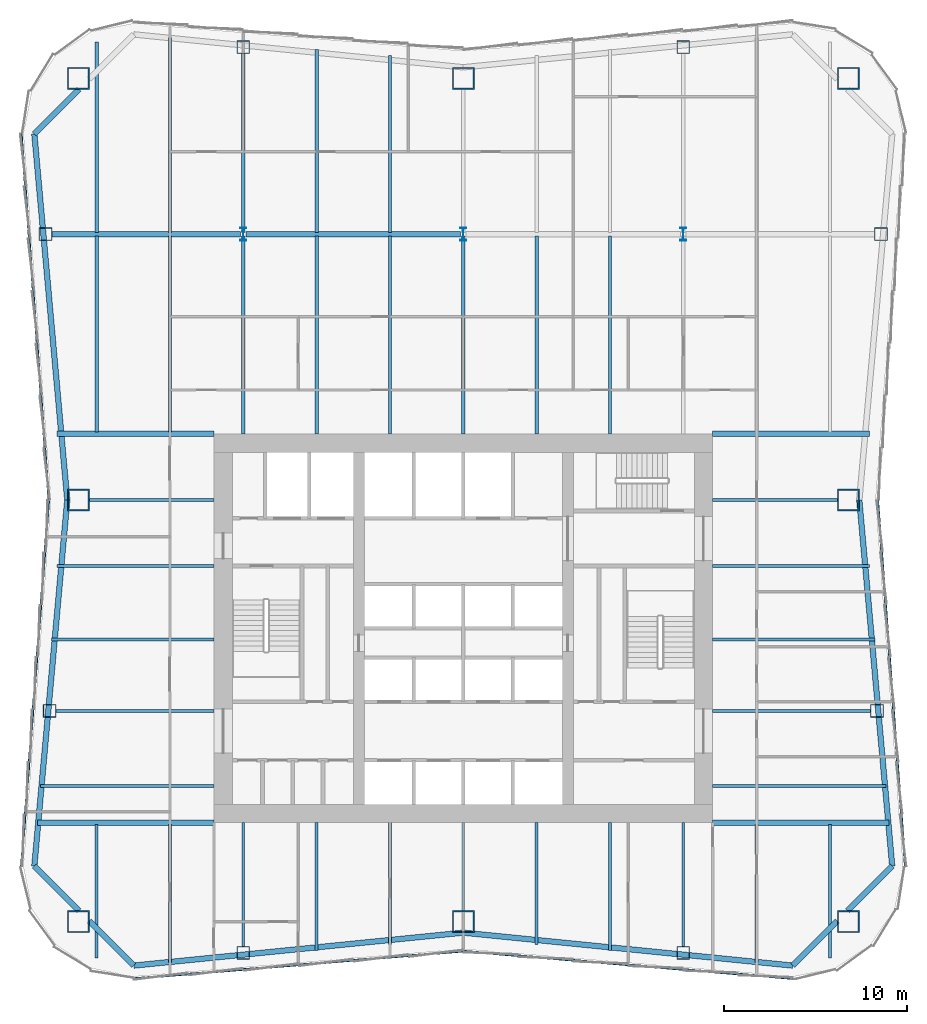
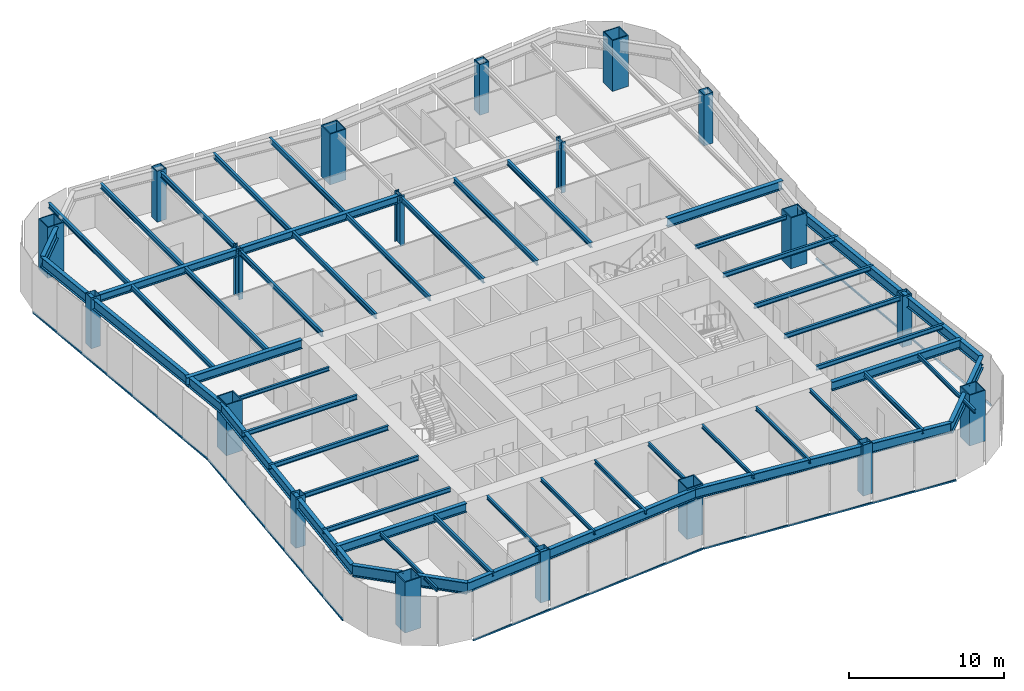
# One storey, part 1 of 8: 50 beams, 19 columns, 5 members, 3 elements without a shape of their own.
"""IFC4 building model written with IfcOpenShell, lengths in metres."""

from ifc_helpers import new_model, si_unit, direction, frame, origin, origin_2d, place, context, subcontext, project, spatial, rectangle, hollow_rectangle, i_section, extrude, material, material_profile, profile_set, type_object, element, aggregate, save


model = new_model("IFC4")

# Units and contexts
model_context = context("Model", 3, precision=1e-05, world=origin(), true_north=direction((0.0, 1.0)))
body_context = subcontext(model_context, "Body", "Model", "MODEL_VIEW")
ifc_project = project(units=[si_unit("LENGTHUNIT", "METRE"), si_unit("AREAUNIT", "SQUARE_METRE"), si_unit("VOLUMEUNIT", "CUBIC_METRE"), si_unit("PLANEANGLEUNIT", "RADIAN"), si_unit("MASSUNIT", "GRAM", prefix="KILO")], contexts=[model_context])

# Site, building, storey
site_placement = place(None, origin())
site = spatial("IfcSite", under=ifc_project, at=site_placement, CompositionType="ELEMENT")
building_placement = place(site_placement, origin())
building = spatial("IfcBuilding", under=site, at=building_placement, Name="Verdant Reach Tower", CompositionType="ELEMENT")
storey_placement = place(building_placement, frame((0.0, 0.0, 146.0)))
storey = spatial("IfcBuildingStorey", under=building, at=storey_placement, Name="L33", CompositionType="ELEMENT", Elevation=146.0)

# Columns
ifc_material_1 = material(Name="Steel S460", Category="steel")
ifc_material_profile_1 = material_profile(ifc_material_1, i_section(OverallWidth=0.30810546875, OverallDepth=0.716064453125, WebThickness=0.02099609375, FlangeThickness=0.0400390625, FilletRadius=0.027099609375, at=origin_2d()), Name="HEM 700")
ifc_profile_set_1 = profile_set([ifc_material_profile_1], Name="Steel S460")
column_type_1 = type_object("IfcColumnType", Name="ST-COL-HEM700", PredefinedType="COLUMN", material=ifc_profile_set_1)
for number, where, z_axis, x_axis, name in (
    (1, (-12.0, 49.5, 0.0), (0.0, 0.0, 1.0), (1.0, 0.0, 0.0), "Interior column 1, L33"),
    (2, (0.0, 49.5, 0.0), (0.0, 0.0, 1.0), (1.0, 0.0, 0.0), "Interior column 2, L33"),
    (3, (12.0, 49.5, 0.0), (0.0, 0.0, 1.0), (1.0, 0.0, 0.0), "Interior column 3, L33"),
):
    element("IfcColumn", number, at=place(storey_placement, frame(where, z_axis=z_axis, x_axis=x_axis)), inside=storey, type_object=column_type_1, Name=name, PredefinedType="COLUMN", context=body_context, shape_type="SweptSolid", body=[
        extrude(i_section(OverallWidth=0.30810546875, OverallDepth=0.716064453125, WebThickness=0.02099609375, FlangeThickness=0.0400390625, FilletRadius=0.027099609375, at=origin_2d()), origin(), (0.0, 0.0, 1.0), 4.0),
    ])
ifc_material_profile_2 = material_profile(ifc_material_1, hollow_rectangle(XDim=1.199951171875, YDim=1.199951171875, WallThickness=0.070068359375, at=origin_2d()), Name="WB 1200x1200x70")
ifc_profile_set_2 = profile_set([ifc_material_profile_2], Name="Steel S460")
column_type_2 = type_object("IfcColumnType", Name="ST-COL-WB1200x1200x70", PredefinedType="COLUMN", material=ifc_profile_set_2)
for number, where, z_axis, x_axis, name in (
    (4, (-21.0, 58.0, 0.0), (0.0, 0.0, 1.0), (1.0, 0.0, 0.0), "Mega column north-west, L33"),
    (5, (0.0, 58.0, 0.0), (0.0, 0.0, 1.0), (1.0, 0.0, 0.0), "Mega column north, L33"),
    (6, (21.0, 58.0, 0.0), (0.0, 0.0, 1.0), (1.0, 0.0, 0.0), "Mega column north-east, L33"),
    (7, (21.0, 35.0, 0.0), (0.0, 0.0, 1.0), (1.0, 0.0, 0.0), "Mega column east, L33"),
    (8, (21.0, 12.0, 0.0), (0.0, 0.0, 1.0), (1.0, 0.0, 0.0), "Mega column south-east, L33"),
    (9, (0.0, 12.0, 0.0), (0.0, 0.0, 1.0), (1.0, 0.0, 0.0), "Mega column south, L33"),
    (10, (-21.0, 12.0, 0.0), (0.0, 0.0, 1.0), (1.0, 0.0, 0.0), "Mega column south-west, L33"),
    (11, (-21.0, 35.0, 0.0), (0.0, 0.0, 1.0), (1.0, 0.0, 0.0), "Mega column west, L33"),
):
    element("IfcColumn", number, at=place(storey_placement, frame(where, z_axis=z_axis, x_axis=x_axis)), inside=storey, type_object=column_type_2, Name=name, PredefinedType="COLUMN", context=body_context, shape_type="SweptSolid", body=[
        extrude(hollow_rectangle(XDim=1.199951171875, YDim=1.199951171875, WallThickness=0.070068359375, at=origin_2d()), origin(), (0.0, 0.0, 1.0), 4.0),
    ])
ifc_material_profile_3 = material_profile(ifc_material_1, hollow_rectangle(XDim=0.699951171875, YDim=0.699951171875, WallThickness=0.030029296875, at=origin_2d()), Name="WB 700x700x30")
ifc_profile_set_3 = profile_set([ifc_material_profile_3], Name="Steel S460")
column_type_3 = type_object("IfcColumnType", Name="ST-COL-WB700x700x30", PredefinedType="COLUMN", material=ifc_profile_set_3)
for number, where, z_axis, x_axis, name in (
    (12, (-12.0, 59.699951171875, 0.0), (0.0, 0.0, 1.0), (1.0, 0.0, 0.0), "Perimeter column north 1, L33"),
    (13, (12.0, 59.699951171875, 0.0), (0.0, 0.0, 1.0), (1.0, 0.0, 0.0), "Perimeter column north 2, L33"),
    (14, (-12.0, 10.300048828125, 0.0), (0.0, 0.0, 1.0), (1.0, 0.0, 0.0), "Perimeter column south 1, L33"),
    (15, (12.0, 10.300048828125, 0.0), (0.0, 0.0, 1.0), (1.0, 0.0, 0.0), "Perimeter column south 2, L33"),
    (16, (22.5625, 23.5, 0.0), (0.0, 0.0, 1.0), (1.0, 0.0, 0.0), "Perimeter column east 1, L33"),
    (17, (22.78759765625, 49.5, 0.0), (0.0, 0.0, 1.0), (1.0, 0.0, 0.0), "Perimeter column east 2, L33"),
    (18, (-22.5625, 23.5, 0.0), (0.0, 0.0, 1.0), (1.0, 0.0, 0.0), "Perimeter column west 1, L33"),
    (19, (-22.78759765625, 49.5, 0.0), (0.0, 0.0, 1.0), (1.0, 0.0, 0.0), "Perimeter column west 2, L33"),
):
    element("IfcColumn", number, at=place(storey_placement, frame(where, z_axis=z_axis, x_axis=x_axis)), inside=storey, type_object=column_type_3, Name=name, PredefinedType="COLUMN", context=body_context, shape_type="SweptSolid", body=[
        extrude(hollow_rectangle(XDim=0.699951171875, YDim=0.699951171875, WallThickness=0.030029296875, at=origin_2d()), origin(), (0.0, 0.0, 1.0), 4.0),
    ])

# Curtain wall, member
ifc_material_2 = material(Name="Anodised aluminium", Category="aluminium")
curtain_wall_type = type_object("IfcCurtainWallType", Name="EN-CW SYSTEM Z2", PredefinedType="NOTDEFINED", material=ifc_material_2)
curtain_wall_1_placement = place(storey_placement, origin())
curtain_wall_1 = element("IfcCurtainWall", 20, at=curtain_wall_1_placement, inside=storey, type_object=curtain_wall_type, Name="Curtain wall east, L33", PredefinedType="NOTDEFINED")
ifc_material_profile_4 = material_profile(ifc_material_2, rectangle(XDim=0.10009765625, YDim=0.1240234375, at=origin_2d()), Name="Transom 124x100")
ifc_profile_set_4 = profile_set([ifc_material_profile_4], Name="Anodised aluminium")
member_type = type_object("IfcMemberType", Name="EN-TRANSOM Z2", PredefinedType="USERDEFINED", material=ifc_profile_set_4)
member_1_placement = place(storey_placement, frame((24.103515625, 15.025390625, -0.2880859375), z_axis=(-0.07476111665, 0.997201471839, 0.0), x_axis=(-0.997201471839, -0.07476111665, 0.0)))
member_1 = element("IfcMember", 21, at=member_1_placement, type_object=member_type, Name="Transom east face part 1 1.1, L33", ObjectType="TRANSOM", PredefinedType="USERDEFINED", context=body_context, shape_type="SweptSolid", body=[
    extrude(rectangle(XDim=0.10009765625, YDim=0.1240234375, at=origin_2d()), origin(), (0.0, 0.0, 1.0), 19.99853515625),
])
aggregate(curtain_wall_1, [member_1])

# Curtain wall, members
curtain_wall_2_placement = place(storey_placement, origin())
curtain_wall_2 = element("IfcCurtainWall", 22, at=curtain_wall_2_placement, inside=storey, type_object=curtain_wall_type, Name="Curtain wall west, L33", PredefinedType="NOTDEFINED")
member_2_placement = place(storey_placement, frame((-24.103515625, 54.974609375, -0.2880859375), z_axis=(0.07476111665, -0.997201471839, 0.0), x_axis=(0.997201471839, 0.07476111665, 0.0)))
member_2 = element("IfcMember", 23, at=member_2_placement, type_object=member_type, Name="Transom west face part 1 1.1, L33", ObjectType="TRANSOM", PredefinedType="USERDEFINED", context=body_context, shape_type="SweptSolid", body=[
    extrude(rectangle(XDim=0.10009765625, YDim=0.1240234375, at=origin_2d()), origin(), (0.0, 0.0, 1.0), 19.99853515625),
])
member_3_placement = place(storey_placement, frame((-22.6083984375, 34.968017578125, -0.2880859375), z_axis=(-0.07476111665, -0.997201471839, 0.0), x_axis=(0.997201471839, -0.07476111665, 0.0)))
member_3 = element("IfcMember", 24, at=member_3_placement, type_object=member_type, Name="Transom west face part 2 1.1, L33", ObjectType="TRANSOM", PredefinedType="USERDEFINED", context=body_context, shape_type="SweptSolid", body=[
    extrude(rectangle(XDim=0.10009765625, YDim=0.1240234375, at=origin_2d()), origin(), (0.0, 0.0, 1.0), 19.99853515625),
])
aggregate(curtain_wall_2, [member_2, member_3])

curtain_wall_3_placement = place(storey_placement, origin())
curtain_wall_3 = element("IfcCurtainWall", 25, at=curtain_wall_3_placement, inside=storey, type_object=curtain_wall_type, Name="Curtain wall south, L33", PredefinedType="NOTDEFINED")
member_4_placement = place(storey_placement, frame((-17.97412109375, 8.896728515625, -0.2880859375), z_axis=(0.996548282776, 0.083015179915, 0.0), x_axis=(-0.083015179915, 0.996548282776, 0.0)))
member_4 = element("IfcMember", 26, at=member_4_placement, type_object=member_type, Name="Transom south face part 1 1.1, L33", ObjectType="TRANSOM", PredefinedType="USERDEFINED", context=body_context, shape_type="SweptSolid", body=[
    extrude(rectangle(XDim=0.10009765625, YDim=0.1240234375, at=origin_2d()), origin(), (0.0, 0.0, 1.0), 18.00439453125),
])
member_5_placement = place(storey_placement, frame((0.031982421875, 10.391357421875, -0.2880859375), z_axis=(0.996548282776, -0.083015179915, 0.0), x_axis=(0.083015179915, 0.996548282776, 0.0)))
member_5 = element("IfcMember", 27, at=member_5_placement, type_object=member_type, Name="Transom south face part 2 1.1, L33", ObjectType="TRANSOM", PredefinedType="USERDEFINED", context=body_context, shape_type="SweptSolid", body=[
    extrude(rectangle(XDim=0.10009765625, YDim=0.1240234375, at=origin_2d()), origin(), (0.0, 0.0, 1.0), 18.00439453125),
])
aggregate(curtain_wall_3, [member_4, member_5])

# Beams
ifc_material_3 = material(Name="Steel S355", Category="steel")
ifc_material_profile_5 = material_profile(ifc_material_3, i_section(OverallWidth=0.300048828125, OverallDepth=0.60009765625, WebThickness=0.015380859375, FlangeThickness=0.030029296875, FilletRadius=0.027099609375, at=origin_2d()), Name="HEB 600")
ifc_profile_set_5 = profile_set([ifc_material_profile_5], Name="Steel S355")
beam_type_1 = type_object("IfcBeamType", Name="ST-BEAM-HEB600", PredefinedType="BEAM", material=ifc_profile_set_5)
beam_1_placement = place(storey_placement, frame((-22.4375, 49.5, 3.570068359375), z_axis=(1.0, 0.0, 0.0), x_axis=(0.0, 1.0, 0.0)))
element("IfcBeam", 28, at=beam_1_placement, inside=storey, type_object=beam_type_1, Name="Row girder, L33", PredefinedType="BEAM", context=body_context, shape_type="SweptSolid", body=[
    extrude(i_section(OverallWidth=0.300048828125, OverallDepth=0.60009765625, WebThickness=0.015380859375, FlangeThickness=0.030029296875, FilletRadius=0.027099609375, at=origin_2d()), origin(), (0.0, 0.0, 1.0), 10.283447265625),
])
beam_2_placement = place(storey_placement, frame((-11.845947265625, 49.5, 3.570068359375), z_axis=(1.0, 0.0, 0.0), x_axis=(0.0, 1.0, 0.0)))
element("IfcBeam", 29, at=beam_2_placement, inside=storey, type_object=beam_type_1, Name="Row girder, L33", PredefinedType="BEAM", context=body_context, shape_type="SweptSolid", body=[
    extrude(i_section(OverallWidth=0.300048828125, OverallDepth=0.60009765625, WebThickness=0.015380859375, FlangeThickness=0.030029296875, FilletRadius=0.027099609375, at=origin_2d()), origin(), (0.0, 0.0, 1.0), 11.69189453125),
])
ifc_material_profile_6 = material_profile(ifc_material_3, i_section(OverallWidth=0.300048828125, OverallDepth=0.699951171875, WebThickness=0.01708984375, FlangeThickness=0.031982421875, FilletRadius=0.027099609375, at=origin_2d()), Name="HEB 700")
ifc_profile_set_6 = profile_set([ifc_material_profile_6], Name="Steel S355")
beam_type_2 = type_object("IfcBeamType", Name="ST-BEAM-HEB700", PredefinedType="BEAM", material=ifc_profile_set_6)
for number, where, z_axis, x_axis, name in (
    (30, (13.60009765625, 38.60009765625, 3.52001953125), (1.0, 0.0, 0.0), (0.0, 1.0, 0.0), "Trimmer beam, L33"),
    (31, (-13.60009765625, 38.60009765625, 3.52001953125), (-1.0, 0.0, 0.0), (0.0, -1.0, 0.0), "Trimmer beam, L33"),
):
    element("IfcBeam", number, at=place(storey_placement, frame(where, z_axis=z_axis, x_axis=x_axis)), inside=storey, type_object=beam_type_2, Name=name, PredefinedType="BEAM", context=body_context, shape_type="SweptSolid", body=[
        extrude(i_section(OverallWidth=0.300048828125, OverallDepth=0.699951171875, WebThickness=0.01708984375, FlangeThickness=0.031982421875, FilletRadius=0.027099609375, at=origin_2d()), origin(), (0.0, 0.0, 1.0), 8.568115234375),
    ])
for number, where, z_axis, x_axis, name in (
    (32, (13.60009765625, 17.39990234375, 3.52001953125), (1.0, 0.0, 0.0), (0.0, 1.0, 0.0), "Trimmer beam, L33"),
    (33, (-13.60009765625, 17.39990234375, 3.52001953125), (-1.0, 0.0, 0.0), (0.0, -1.0, 0.0), "Trimmer beam, L33"),
):
    element("IfcBeam", number, at=place(storey_placement, frame(where, z_axis=z_axis, x_axis=x_axis)), inside=storey, type_object=beam_type_2, Name=name, PredefinedType="BEAM", context=body_context, shape_type="SweptSolid", body=[
        extrude(i_section(OverallWidth=0.300048828125, OverallDepth=0.699951171875, WebThickness=0.01708984375, FlangeThickness=0.031982421875, FilletRadius=0.027099609375, at=origin_2d()), origin(), (0.0, 0.0, 1.0), 9.6181640625),
    ])
ifc_material_profile_7 = material_profile(ifc_material_3, i_section(OverallWidth=0.14990234375, OverallDepth=0.300048828125, WebThickness=0.007080078125, FlangeThickness=0.0107421875, FilletRadius=0.014892578125, at=origin_2d()), Name="IPE 300")
ifc_profile_set_7 = profile_set([ifc_material_profile_7], Name="Steel S355")
beam_type_3 = type_object("IfcBeamType", Name="ST-JOIST-IPE300", PredefinedType="JOIST", material=ifc_profile_set_7)
beam_3_placement = place(storey_placement, frame((-20.0, 17.300048828125, 3.719970703125), z_axis=(0.0, -1.0, 0.0), x_axis=(1.0, 0.0, 0.0)))
element("IfcBeam", 34, at=beam_3_placement, inside=storey, type_object=beam_type_3, Name="Floor joist, L33", PredefinedType="JOIST", context=body_context, shape_type="SweptSolid", body=[
    extrude(i_section(OverallWidth=0.14990234375, OverallDepth=0.300048828125, WebThickness=0.007080078125, FlangeThickness=0.0107421875, FilletRadius=0.014892578125, at=origin_2d()), origin(), (0.0, 0.0, 1.0), 7.29052734375),
])
beam_4_placement = place(storey_placement, frame((-12.0, 17.39990234375, 3.719970703125), z_axis=(0.0, -1.0, 0.0), x_axis=(1.0, 0.0, 0.0)))
element("IfcBeam", 35, at=beam_4_placement, inside=storey, type_object=beam_type_3, Name="Floor joist, L33", PredefinedType="JOIST", context=body_context, shape_type="SweptSolid", body=[
    extrude(i_section(OverallWidth=0.14990234375, OverallDepth=0.300048828125, WebThickness=0.007080078125, FlangeThickness=0.0107421875, FilletRadius=0.014892578125, at=origin_2d()), origin(), (0.0, 0.0, 1.0), 6.75),
])
beam_5_placement = place(storey_placement, frame((-8.0, 17.39990234375, 3.719970703125), z_axis=(0.0, -1.0, 0.0), x_axis=(1.0, 0.0, 0.0)))
element("IfcBeam", 36, at=beam_5_placement, inside=storey, type_object=beam_type_3, Name="Floor joist, L33", PredefinedType="JOIST", context=body_context, shape_type="SweptSolid", body=[
    extrude(i_section(OverallWidth=0.14990234375, OverallDepth=0.300048828125, WebThickness=0.007080078125, FlangeThickness=0.0107421875, FilletRadius=0.014892578125, at=origin_2d()), origin(), (0.0, 0.0, 1.0), 6.964599609375),
])
beam_6_placement = place(storey_placement, frame((-4.0, 17.39990234375, 3.719970703125), z_axis=(0.0, -1.0, 0.0), x_axis=(1.0, 0.0, 0.0)))
element("IfcBeam", 37, at=beam_6_placement, inside=storey, type_object=beam_type_3, Name="Floor joist, L33", PredefinedType="JOIST", context=body_context, shape_type="SweptSolid", body=[
    extrude(i_section(OverallWidth=0.14990234375, OverallDepth=0.300048828125, WebThickness=0.007080078125, FlangeThickness=0.0107421875, FilletRadius=0.014892578125, at=origin_2d()), origin(), (0.0, 0.0, 1.0), 6.631103515625),
])
beam_7_placement = place(storey_placement, frame((0.0, 17.39990234375, 3.719970703125), z_axis=(0.0, -1.0, 0.0), x_axis=(1.0, 0.0, 0.0)))
element("IfcBeam", 38, at=beam_7_placement, inside=storey, type_object=beam_type_3, Name="Floor joist, L33", PredefinedType="JOIST", context=body_context, shape_type="SweptSolid", body=[
    extrude(i_section(OverallWidth=0.14990234375, OverallDepth=0.300048828125, WebThickness=0.007080078125, FlangeThickness=0.0107421875, FilletRadius=0.014892578125, at=origin_2d()), origin(), (0.0, 0.0, 1.0), 4.7998046875),
])
beam_8_placement = place(storey_placement, frame((4.0, 17.39990234375, 3.719970703125), z_axis=(0.0, -1.0, 0.0), x_axis=(1.0, 0.0, 0.0)))
element("IfcBeam", 39, at=beam_8_placement, inside=storey, type_object=beam_type_3, Name="Floor joist, L33", PredefinedType="JOIST", context=body_context, shape_type="SweptSolid", body=[
    extrude(i_section(OverallWidth=0.14990234375, OverallDepth=0.300048828125, WebThickness=0.007080078125, FlangeThickness=0.0107421875, FilletRadius=0.014892578125, at=origin_2d()), origin(), (0.0, 0.0, 1.0), 6.631103515625),
])
beam_9_placement = place(storey_placement, frame((8.0, 17.39990234375, 3.719970703125), z_axis=(0.0, -1.0, 0.0), x_axis=(1.0, 0.0, 0.0)))
element("IfcBeam", 40, at=beam_9_placement, inside=storey, type_object=beam_type_3, Name="Floor joist, L33", PredefinedType="JOIST", context=body_context, shape_type="SweptSolid", body=[
    extrude(i_section(OverallWidth=0.14990234375, OverallDepth=0.300048828125, WebThickness=0.007080078125, FlangeThickness=0.0107421875, FilletRadius=0.014892578125, at=origin_2d()), origin(), (0.0, 0.0, 1.0), 6.964599609375),
])
beam_10_placement = place(storey_placement, frame((12.0, 17.39990234375, 3.719970703125), z_axis=(0.0, -1.0, 0.0), x_axis=(1.0, 0.0, 0.0)))
element("IfcBeam", 41, at=beam_10_placement, inside=storey, type_object=beam_type_3, Name="Floor joist, L33", PredefinedType="JOIST", context=body_context, shape_type="SweptSolid", body=[
    extrude(i_section(OverallWidth=0.14990234375, OverallDepth=0.300048828125, WebThickness=0.007080078125, FlangeThickness=0.0107421875, FilletRadius=0.014892578125, at=origin_2d()), origin(), (0.0, 0.0, 1.0), 6.75),
])
beam_11_placement = place(storey_placement, frame((20.0, 17.300048828125, 3.719970703125), z_axis=(0.0, -1.0, 0.0), x_axis=(1.0, 0.0, 0.0)))
element("IfcBeam", 42, at=beam_11_placement, inside=storey, type_object=beam_type_3, Name="Floor joist, L33", PredefinedType="JOIST", context=body_context, shape_type="SweptSolid", body=[
    extrude(i_section(OverallWidth=0.14990234375, OverallDepth=0.300048828125, WebThickness=0.007080078125, FlangeThickness=0.0107421875, FilletRadius=0.014892578125, at=origin_2d()), origin(), (0.0, 0.0, 1.0), 7.29052734375),
])
for number, where, z_axis, x_axis, name in (
    (43, (13.60009765625, 35.0, 3.719970703125), (1.0, 0.0, 0.0), (0.0, 1.0, 0.0), "Floor joist, L33"),
    (44, (-13.60009765625, 35.0, 3.719970703125), (-1.0, 0.0, 0.0), (0.0, -1.0, 0.0), "Floor joist, L33"),
):
    element("IfcBeam", number, at=place(storey_placement, frame(where, z_axis=z_axis, x_axis=x_axis)), inside=storey, type_object=beam_type_3, Name=name, PredefinedType="JOIST", context=body_context, shape_type="SweptSolid", body=[
        extrude(i_section(OverallWidth=0.14990234375, OverallDepth=0.300048828125, WebThickness=0.007080078125, FlangeThickness=0.0107421875, FilletRadius=0.014892578125, at=origin_2d()), origin(), (0.0, 0.0, 1.0), 6.7998046875),
    ])
ifc_material_profile_8 = material_profile(ifc_material_3, i_section(OverallWidth=0.169921875, OverallDepth=0.360107421875, WebThickness=0.008056640625, FlangeThickness=0.0126953125, FilletRadius=0.01806640625, at=origin_2d()), Name="IPE 360")
ifc_profile_set_8 = profile_set([ifc_material_profile_8], Name="Steel S355")
beam_type_4 = type_object("IfcBeamType", Name="ST-JOIST-IPE360", PredefinedType="JOIST", material=ifc_profile_set_8)
for number, where, z_axis, x_axis, name in (
    (45, (-16.0, 17.300048828125, 3.68994140625), (0.0, -1.0, 0.0), (1.0, 0.0, 0.0), "Floor joist, L33"),
    (46, (16.0, 17.300048828125, 3.68994140625), (0.0, -1.0, 0.0), (1.0, 0.0, 0.0), "Floor joist, L33"),
):
    element("IfcBeam", number, at=place(storey_placement, frame(where, z_axis=z_axis, x_axis=x_axis)), inside=storey, type_object=beam_type_4, Name=name, PredefinedType="JOIST", context=body_context, shape_type="SweptSolid", body=[
        extrude(i_section(OverallWidth=0.169921875, OverallDepth=0.360107421875, WebThickness=0.008056640625, FlangeThickness=0.0126953125, FilletRadius=0.01806640625, at=origin_2d()), origin(), (0.0, 0.0, 1.0), 7.53125),
    ])
for number, where, z_axis, x_axis, name in (
    (47, (13.60009765625, 19.39990234375, 3.68994140625), (1.0, 0.0, 0.0), (0.0, 1.0, 0.0), "Floor joist, L33"),
    (48, (-13.60009765625, 19.39990234375, 3.68994140625), (-1.0, 0.0, 0.0), (0.0, -1.0, 0.0), "Floor joist, L33"),
):
    element("IfcBeam", number, at=place(storey_placement, frame(where, z_axis=z_axis, x_axis=x_axis)), inside=storey, type_object=beam_type_4, Name=name, PredefinedType="JOIST", context=body_context, shape_type="SweptSolid", body=[
        extrude(i_section(OverallWidth=0.169921875, OverallDepth=0.360107421875, WebThickness=0.008056640625, FlangeThickness=0.0126953125, FilletRadius=0.01806640625, at=origin_2d()), origin(), (0.0, 0.0, 1.0), 9.46826171875),
    ])
for number, where, z_axis, x_axis, name in (
    (49, (13.60009765625, 23.5, 3.68994140625), (1.0, 0.0, 0.0), (0.0, 1.0, 0.0), "Floor joist, L33"),
    (50, (-13.60009765625, 23.5, 3.68994140625), (-1.0, 0.0, 0.0), (0.0, -1.0, 0.0), "Floor joist, L33"),
):
    element("IfcBeam", number, at=place(storey_placement, frame(where, z_axis=z_axis, x_axis=x_axis)), inside=storey, type_object=beam_type_4, Name=name, PredefinedType="JOIST", context=body_context, shape_type="SweptSolid", body=[
        extrude(i_section(OverallWidth=0.169921875, OverallDepth=0.360107421875, WebThickness=0.008056640625, FlangeThickness=0.0126953125, FilletRadius=0.01806640625, at=origin_2d()), origin(), (0.0, 0.0, 1.0), 8.6123046875),
    ])
for number, where, z_axis, x_axis, name in (
    (51, (13.60009765625, 27.39990234375, 3.68994140625), (1.0, 0.0, 0.0), (0.0, 1.0, 0.0), "Floor joist, L33"),
    (52, (-13.60009765625, 27.39990234375, 3.68994140625), (-1.0, 0.0, 0.0), (0.0, -1.0, 0.0), "Floor joist, L33"),
):
    element("IfcBeam", number, at=place(storey_placement, frame(where, z_axis=z_axis, x_axis=x_axis)), inside=storey, type_object=beam_type_4, Name=name, PredefinedType="JOIST", context=body_context, shape_type="SweptSolid", body=[
        extrude(i_section(OverallWidth=0.169921875, OverallDepth=0.360107421875, WebThickness=0.008056640625, FlangeThickness=0.0126953125, FilletRadius=0.01806640625, at=origin_2d()), origin(), (0.0, 0.0, 1.0), 8.8681640625),
    ])
for number, where, z_axis, x_axis, name in (
    (53, (13.60009765625, 31.39990234375, 3.68994140625), (1.0, 0.0, 0.0), (0.0, 1.0, 0.0), "Floor joist, L33"),
    (54, (-13.60009765625, 31.39990234375, 3.68994140625), (-1.0, 0.0, 0.0), (0.0, -1.0, 0.0), "Floor joist, L33"),
):
    element("IfcBeam", number, at=place(storey_placement, frame(where, z_axis=z_axis, x_axis=x_axis)), inside=storey, type_object=beam_type_4, Name=name, PredefinedType="JOIST", context=body_context, shape_type="SweptSolid", body=[
        extrude(i_section(OverallWidth=0.169921875, OverallDepth=0.360107421875, WebThickness=0.008056640625, FlangeThickness=0.0126953125, FilletRadius=0.01806640625, at=origin_2d()), origin(), (0.0, 0.0, 1.0), 8.568115234375),
    ])
ifc_material_profile_9 = material_profile(ifc_material_3, i_section(OverallWidth=0.179931640625, OverallDepth=0.39990234375, WebThickness=0.008544921875, FlangeThickness=0.013427734375, FilletRadius=0.02099609375, at=origin_2d()), Name="IPE 400")
ifc_profile_set_9 = profile_set([ifc_material_profile_9], Name="Steel S355")
beam_type_5 = type_object("IfcBeamType", Name="ST-JOIST-IPE400", PredefinedType="JOIST", material=ifc_profile_set_9)
beam_12_placement = place(storey_placement, frame((-20.0, 38.699951171875, 3.669921875), z_axis=(0.0, 1.0, 0.0), x_axis=(-1.0, 0.0, 0.0)))
element("IfcBeam", 55, at=beam_12_placement, inside=storey, type_object=beam_type_5, Name="Floor joist, L33", PredefinedType="JOIST", context=body_context, shape_type="SweptSolid", body=[
    extrude(i_section(OverallWidth=0.179931640625, OverallDepth=0.39990234375, WebThickness=0.008544921875, FlangeThickness=0.013427734375, FilletRadius=0.02099609375, at=origin_2d()), origin(), (0.0, 0.0, 1.0), 10.699951171875),
])
beam_13_placement = place(storey_placement, frame((-20.0, 49.60009765625, 3.669921875), z_axis=(0.0, 1.0, 0.0), x_axis=(-1.0, 0.0, 0.0)))
element("IfcBeam", 56, at=beam_13_placement, inside=storey, type_object=beam_type_5, Name="Floor joist, L33", PredefinedType="JOIST", context=body_context, shape_type="SweptSolid", body=[
    extrude(i_section(OverallWidth=0.179931640625, OverallDepth=0.39990234375, WebThickness=0.008544921875, FlangeThickness=0.013427734375, FilletRadius=0.02099609375, at=origin_2d()), origin(), (0.0, 0.0, 1.0), 10.390380859375),
])
beam_14_placement = place(storey_placement, frame((-16.0, 38.699951171875, 3.669921875), z_axis=(0.0, 1.0, 0.0), x_axis=(-1.0, 0.0, 0.0)))
element("IfcBeam", 57, at=beam_14_placement, inside=storey, type_object=beam_type_5, Name="Floor joist, L33", PredefinedType="JOIST", context=body_context, shape_type="SweptSolid", body=[
    extrude(i_section(OverallWidth=0.179931640625, OverallDepth=0.39990234375, WebThickness=0.008544921875, FlangeThickness=0.013427734375, FilletRadius=0.02099609375, at=origin_2d()), origin(), (0.0, 0.0, 1.0), 10.699951171875),
])
beam_15_placement = place(storey_placement, frame((-16.0, 49.60009765625, 3.669921875), z_axis=(0.0, 1.0, 0.0), x_axis=(-1.0, 0.0, 0.0)))
element("IfcBeam", 58, at=beam_15_placement, inside=storey, type_object=beam_type_5, Name="Floor joist, L33", PredefinedType="JOIST", context=body_context, shape_type="SweptSolid", body=[
    extrude(i_section(OverallWidth=0.179931640625, OverallDepth=0.39990234375, WebThickness=0.008544921875, FlangeThickness=0.013427734375, FilletRadius=0.02099609375, at=origin_2d()), origin(), (0.0, 0.0, 1.0), 10.631103515625),
])
beam_16_placement = place(storey_placement, frame((-12.0, 38.60009765625, 3.669921875), z_axis=(0.0, 1.0, 0.0), x_axis=(-1.0, 0.0, 0.0)))
element("IfcBeam", 59, at=beam_16_placement, inside=storey, type_object=beam_type_5, Name="Floor joist, L33", PredefinedType="JOIST", context=body_context, shape_type="SweptSolid", body=[
    extrude(i_section(OverallWidth=0.179931640625, OverallDepth=0.39990234375, WebThickness=0.008544921875, FlangeThickness=0.013427734375, FilletRadius=0.02099609375, at=origin_2d()), origin(), (0.0, 0.0, 1.0), 10.7998046875),
])
beam_17_placement = place(storey_placement, frame((-12.0, 49.60009765625, 3.669921875), z_axis=(0.0, 1.0, 0.0), x_axis=(-1.0, 0.0, 0.0)))
element("IfcBeam", 60, at=beam_17_placement, inside=storey, type_object=beam_type_5, Name="Floor joist, L33", PredefinedType="JOIST", context=body_context, shape_type="SweptSolid", body=[
    extrude(i_section(OverallWidth=0.179931640625, OverallDepth=0.39990234375, WebThickness=0.008544921875, FlangeThickness=0.013427734375, FilletRadius=0.02099609375, at=origin_2d()), origin(), (0.0, 0.0, 1.0), 9.75),
])
beam_18_placement = place(storey_placement, frame((-8.0, 38.60009765625, 3.669921875), z_axis=(0.0, 1.0, 0.0), x_axis=(-1.0, 0.0, 0.0)))
element("IfcBeam", 61, at=beam_18_placement, inside=storey, type_object=beam_type_5, Name="Floor joist, L33", PredefinedType="JOIST", context=body_context, shape_type="SweptSolid", body=[
    extrude(i_section(OverallWidth=0.179931640625, OverallDepth=0.39990234375, WebThickness=0.008544921875, FlangeThickness=0.013427734375, FilletRadius=0.02099609375, at=origin_2d()), origin(), (0.0, 0.0, 1.0), 10.7998046875),
])
beam_19_placement = place(storey_placement, frame((-8.0, 49.60009765625, 3.669921875), z_axis=(0.0, 1.0, 0.0), x_axis=(-1.0, 0.0, 0.0)))
element("IfcBeam", 62, at=beam_19_placement, inside=storey, type_object=beam_type_5, Name="Floor joist, L33", PredefinedType="JOIST", context=body_context, shape_type="SweptSolid", body=[
    extrude(i_section(OverallWidth=0.179931640625, OverallDepth=0.39990234375, WebThickness=0.008544921875, FlangeThickness=0.013427734375, FilletRadius=0.02099609375, at=origin_2d()), origin(), (0.0, 0.0, 1.0), 9.964599609375),
])
beam_20_placement = place(storey_placement, frame((-4.0, 38.60009765625, 3.669921875), z_axis=(0.0, 1.0, 0.0), x_axis=(-1.0, 0.0, 0.0)))
element("IfcBeam", 63, at=beam_20_placement, inside=storey, type_object=beam_type_5, Name="Floor joist, L33", PredefinedType="JOIST", context=body_context, shape_type="SweptSolid", body=[
    extrude(i_section(OverallWidth=0.179931640625, OverallDepth=0.39990234375, WebThickness=0.008544921875, FlangeThickness=0.013427734375, FilletRadius=0.02099609375, at=origin_2d()), origin(), (0.0, 0.0, 1.0), 10.7998046875),
])
beam_21_placement = place(storey_placement, frame((-4.0, 49.60009765625, 3.669921875), z_axis=(0.0, 1.0, 0.0), x_axis=(-1.0, 0.0, 0.0)))
element("IfcBeam", 64, at=beam_21_placement, inside=storey, type_object=beam_type_5, Name="Floor joist, L33", PredefinedType="JOIST", context=body_context, shape_type="SweptSolid", body=[
    extrude(i_section(OverallWidth=0.179931640625, OverallDepth=0.39990234375, WebThickness=0.008544921875, FlangeThickness=0.013427734375, FilletRadius=0.02099609375, at=origin_2d()), origin(), (0.0, 0.0, 1.0), 9.631103515625),
])
for number, where, z_axis, x_axis, name in (
    (65, (0.0, 38.60009765625, 3.669921875), (0.0, 1.0, 0.0), (-1.0, 0.0, 0.0), "Floor joist, L33"),
    (66, (4.0, 38.60009765625, 3.669921875), (0.0, 1.0, 0.0), (-1.0, 0.0, 0.0), "Floor joist, L33"),
    (67, (8.0, 38.60009765625, 3.669921875), (0.0, 1.0, 0.0), (-1.0, 0.0, 0.0), "Floor joist, L33"),
):
    element("IfcBeam", number, at=place(storey_placement, frame(where, z_axis=z_axis, x_axis=x_axis)), inside=storey, type_object=beam_type_5, Name=name, PredefinedType="JOIST", context=body_context, shape_type="SweptSolid", body=[
        extrude(i_section(OverallWidth=0.179931640625, OverallDepth=0.39990234375, WebThickness=0.008544921875, FlangeThickness=0.013427734375, FilletRadius=0.02099609375, at=origin_2d()), origin(), (0.0, 0.0, 1.0), 10.7998046875),
    ])
ifc_material_profile_10 = material_profile(ifc_material_3, i_section(OverallWidth=0.300048828125, OverallDepth=0.800048828125, WebThickness=0.017578125, FlangeThickness=0.032958984375, FilletRadius=0.030029296875, at=origin_2d()), Name="HEB 800")
ifc_profile_set_10 = profile_set([ifc_material_profile_10], Name="Steel S355")
beam_type_6 = type_object("IfcBeamType", Name="ST-SPANDREL-HEB800", PredefinedType="SPANDREL", material=ifc_profile_set_10)
for number, where, z_axis, x_axis, name in (
    (68, (17.9658203125, 9.60498046875, 3.469970703125), (-0.995046289869, 0.099412680371, 0.0), (-0.099412680371, -0.995046289869, 0.0), "Edge beam, L33"),
    (69, (0.0, 11.39990234375, 3.469970703125), (-0.995046289869, -0.099412680371, 0.0), (0.099412680371, -0.995046289869, 0.0), "Edge beam, L33"),
):
    element("IfcBeam", number, at=place(storey_placement, frame(where, z_axis=z_axis, x_axis=x_axis)), inside=storey, type_object=beam_type_6, Name=name, PredefinedType="SPANDREL", context=body_context, shape_type="SweptSolid", body=[
        extrude(i_section(OverallWidth=0.300048828125, OverallDepth=0.800048828125, WebThickness=0.017578125, FlangeThickness=0.032958984375, FilletRadius=0.030029296875, at=origin_2d()), origin(), (0.0, 0.0, 1.0), 18.05517578125),
    ])
for number, where, z_axis, x_axis, name in (
    (70, (-23.3955078125, 15.036865234375, 3.469970703125), (0.089574749266, 0.995980102358, 0.0), (-0.995980102358, 0.089574749266, 0.0), "Edge beam, L33"),
    (71, (-21.60009765625, 35.0, 3.469970703125), (-0.089574749266, 0.995980102358, 0.0), (-0.995980102358, -0.089574749266, 0.0), "Edge beam, L33"),
    (72, (21.60009765625, 35.0, 3.469970703125), (0.089574749266, -0.995980102358, 0.0), (0.995980102358, 0.089574749266, 0.0), "Edge beam, L33"),
):
    element("IfcBeam", number, at=place(storey_placement, frame(where, z_axis=z_axis, x_axis=x_axis)), inside=storey, type_object=beam_type_6, Name=name, PredefinedType="SPANDREL", context=body_context, shape_type="SweptSolid", body=[
        extrude(i_section(OverallWidth=0.300048828125, OverallDepth=0.800048828125, WebThickness=0.017578125, FlangeThickness=0.032958984375, FilletRadius=0.030029296875, at=origin_2d()), origin(), (0.0, 0.0, 1.0), 20.043701171875),
    ])
ifc_material_profile_11 = material_profile(ifc_material_3, i_section(OverallWidth=0.302001953125, OverallDepth=0.909912109375, WebThickness=0.02099609375, FlangeThickness=0.0400390625, FilletRadius=0.030029296875, at=origin_2d()), Name="HEM 900")
ifc_profile_set_11 = profile_set([ifc_material_profile_11], Name="Steel S355")
beam_type_7 = type_object("IfcBeamType", Name="ST-SPANDREL-HEM900", PredefinedType="SPANDREL", material=ifc_profile_set_11)
beam_22_placement = place(storey_placement, frame((-17.9658203125, 9.60498046875, 3.4150390625), z_axis=(-0.70696494852, 0.70724858541, 0.0), x_axis=(-0.70724858541, -0.70696494852, 0.0)))
element("IfcBeam", 73, at=beam_22_placement, inside=storey, type_object=beam_type_7, Name="Edge beam, L33", PredefinedType="SPANDREL", context=body_context, shape_type="SweptSolid", body=[
    extrude(i_section(OverallWidth=0.302001953125, OverallDepth=0.909912109375, WebThickness=0.02099609375, FlangeThickness=0.0400390625, FilletRadius=0.030029296875, at=origin_2d()), origin(), (0.0, 0.0, 1.0), 3.443115234375),
])
for number, where, z_axis, x_axis, name in (
    (74, (-20.959716796875, 12.60009765625, 3.4150390625), (-0.706965048022, 0.707248485948, 0.0), (-0.707248485948, -0.706965048022, 0.0), "Edge beam, L33"),
    (75, (-23.3955078125, 54.963134765625, 3.4150390625), (0.706965048022, 0.707248485948, 0.0), (-0.707248485948, 0.706965048022, 0.0), "Edge beam, L33"),
    (76, (23.3955078125, 15.036865234375, 3.4150390625), (-0.706965048022, -0.707248485948, 0.0), (0.707248485948, -0.706965048022, 0.0), "Edge beam, L33"),
):
    element("IfcBeam", number, at=place(storey_placement, frame(where, z_axis=z_axis, x_axis=x_axis)), inside=storey, type_object=beam_type_7, Name=name, PredefinedType="SPANDREL", context=body_context, shape_type="SweptSolid", body=[
        extrude(i_section(OverallWidth=0.302001953125, OverallDepth=0.909912109375, WebThickness=0.02099609375, FlangeThickness=0.0400390625, FilletRadius=0.030029296875, at=origin_2d()), origin(), (0.0, 0.0, 1.0), 3.4453125),
    ])
beam_23_placement = place(storey_placement, frame((20.39990234375, 12.0400390625, 3.4150390625), z_axis=(-0.70696494852, -0.70724858541, 0.0), x_axis=(0.70724858541, -0.70696494852, 0.0)))
element("IfcBeam", 77, at=beam_23_placement, inside=storey, type_object=beam_type_7, Name="Edge beam, L33", PredefinedType="SPANDREL", context=body_context, shape_type="SweptSolid", body=[
    extrude(i_section(OverallWidth=0.302001953125, OverallDepth=0.909912109375, WebThickness=0.02099609375, FlangeThickness=0.0400390625, FilletRadius=0.030029296875, at=origin_2d()), origin(), (0.0, 0.0, 1.0), 3.443115234375),
])

save(model, "model.ifc")
